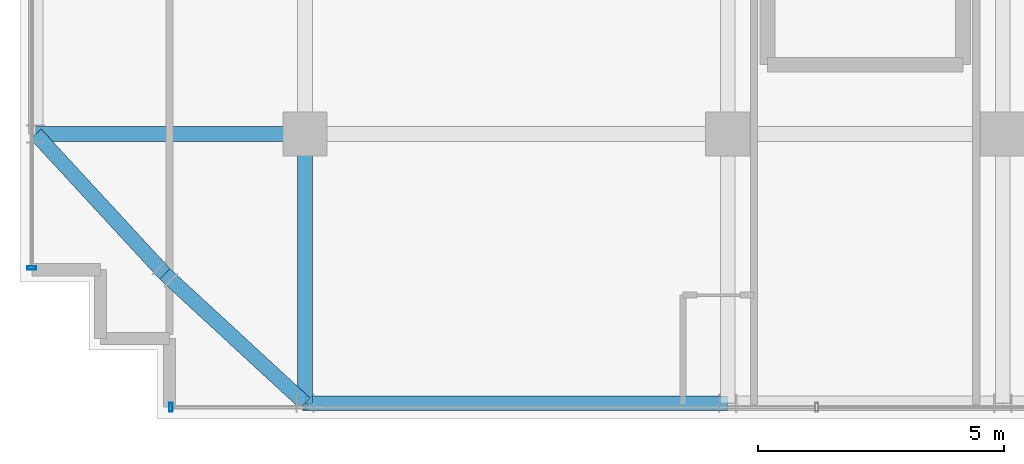
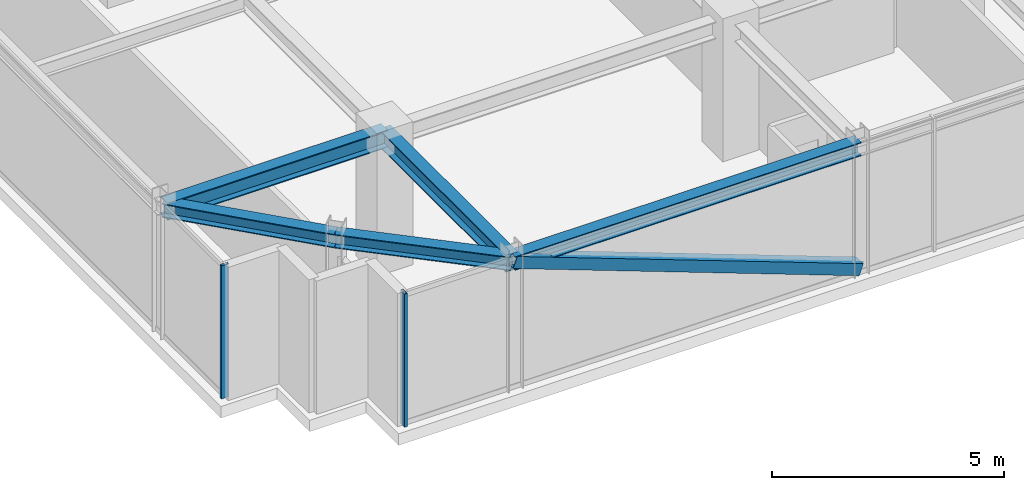
# One storey, part 4 of 31: 5 beams, 3 members, 2 elements without a shape of their own.
"""IFC4 building model written with IfcOpenShell, lengths in metres."""

from ifc_helpers import new_model, si_unit, direction, frame, origin, origin_2d, place, context, subcontext, project, spatial, hollow_rectangle, i_section, extrude, source, transform, mapped, material, material_profile, profile_set, type_object, element, aggregate, save


model = new_model("IFC4")

# Units and contexts
model_context = context("Model", 3, precision=1e-05, world=origin(), true_north=direction((0.0, 1.0)))
body_context = subcontext(model_context, "Body", "Model", "MODEL_VIEW")
ifc_project = project(units=[si_unit("LENGTHUNIT", "METRE"), si_unit("AREAUNIT", "SQUARE_METRE"), si_unit("VOLUMEUNIT", "CUBIC_METRE"), si_unit("PLANEANGLEUNIT", "RADIAN"), si_unit("MASSUNIT", "GRAM", prefix="KILO")], contexts=[model_context])

# Site, building, storey
site_placement = place(None, origin())
site = spatial("IfcSite", under=ifc_project, at=site_placement, CompositionType="ELEMENT")
building_placement = place(site_placement, origin())
building = spatial("IfcBuilding", under=site, at=building_placement, Name="Nahalor Promenade Grand Hotel", CompositionType="ELEMENT")
storey_placement = place(building_placement, frame((0.0, 0.0, 327.14990234375)))
storey = spatial("IfcBuildingStorey", under=building, at=storey_placement, Name="L84", CompositionType="ELEMENT", Elevation=327.14990234375)

# Beams
ifc_material_1 = material(Name="Steel S355JR", Category="steel")
ifc_material_profile_1 = material_profile(ifc_material_1, i_section(OverallWidth=0.3, OverallDepth=0.45, WebThickness=0.014, FlangeThickness=0.026, at=origin_2d()), Name="HEB 450")
ifc_profile_set_1 = profile_set([ifc_material_profile_1], Name="Steel S355JR")
beam_type_1 = type_object("IfcBeamType", Name="Beam-Girder-HEB450", PredefinedType="BEAM", material=ifc_profile_set_1)
shared_shape_1 = source(origin(), body_context, "Body", "SweptSolid", [
    extrude(i_section(OverallWidth=0.3, OverallDepth=0.45, WebThickness=0.014, FlangeThickness=0.026, at=origin_2d()), origin(), (0.0, 0.0, 1.0), 5.47998046875),
])
for number, where, z_axis, x_axis, name in (
    (1, (-22.47998046875, -17.0, 3.275146484375), (1.0, 0.0, 0.0), (0.0, 1.0, 0.0), "BM-L84-GX-0-0"),
    (2, (-17.0, -22.47998046875, 3.275146484375), (0.0, 1.0, 0.0), (-1.0, 0.0, 0.0), "BM-L84-GY-0-0"),
):
    element("IfcBeam", number, at=place(storey_placement, frame(where, z_axis=z_axis, x_axis=x_axis)), inside=storey, type_object=beam_type_1, Name=name, PredefinedType="BEAM", context=body_context, shape_type="MappedRepresentation", body=[
        mapped(shared_shape_1, transform((0.0, 0.0, 0.0), scale=1.0)),
    ])
ifc_material_profile_2 = material_profile(ifc_material_1, i_section(OverallWidth=0.3, OverallDepth=0.36, WebThickness=0.0125, FlangeThickness=0.0225, at=origin_2d()), Name="HEB 360")
ifc_profile_set_2 = profile_set([ifc_material_profile_2], Name="Steel S355JR")
beam_type_2 = type_object("IfcBeamType", Name="Beam-Spandrel-HEB360", PredefinedType="SPANDREL", material=ifc_profile_set_2)
shared_shape_2 = source(origin(), body_context, "Body", "SweptSolid", [
    extrude(i_section(OverallWidth=0.3, OverallDepth=0.36, WebThickness=0.0125, FlangeThickness=0.0225, at=origin_2d()), origin(), (0.0, 0.0, 1.0), 8.60009765625),
])
beam_placement = place(storey_placement, frame((-17.0, -22.47998046875, 3.320068359375), z_axis=(1.0, 0.0, 0.0), x_axis=(0.0, 1.0, 0.0)))
element("IfcBeam", 3, at=beam_placement, inside=storey, type_object=beam_type_2, Name="BM-L84-SP-S-0", PredefinedType="SPANDREL", context=body_context, shape_type="MappedRepresentation", body=[
    mapped(shared_shape_2, transform((0.0, 0.0, 0.0), scale=1.0)),
])
shared_shape_3 = source(origin(), body_context, "Body", "SweptSolid", [
    extrude(i_section(OverallWidth=0.3, OverallDepth=0.36, WebThickness=0.0125, FlangeThickness=0.0225, at=origin_2d()), origin(), (0.0, 0.0, 1.0), 3.878173828125),
])
for number, where, z_axis, x_axis, name in (
    (4, (-17.0, -22.47998046875, 3.320068359375), (-0.73492893846, 0.678144125843, 0.0), (-0.678144125843, -0.73492893846, 0.0), "BM-L84-SPC-SW-1"),
    (5, (-19.85009765625, -19.85009765625, 3.320068359375), (-0.678144125843, 0.73492893846, 0.0), (-0.73492893846, -0.678144125843, 0.0), "BM-L84-SPC-SW-2"),
):
    element("IfcBeam", number, at=place(storey_placement, frame(where, z_axis=z_axis, x_axis=x_axis)), inside=storey, type_object=beam_type_2, Name=name, PredefinedType="SPANDREL", context=body_context, shape_type="MappedRepresentation", body=[
        mapped(shared_shape_3, transform((0.0, 0.0, 0.0), scale=1.0)),
    ])

# Member
ifc_material_profile_3 = material_profile(ifc_material_1, hollow_rectangle(XDim=0.3, YDim=0.3, WallThickness=0.016, at=origin_2d()), Name="SHS 300x300x16")
ifc_profile_set_3 = profile_set([ifc_material_profile_3], Name="Steel S355JR")
member_type_1 = type_object("IfcMemberType", Name="Mem-CrownBrace-SHS300", PredefinedType="BRACE", material=ifc_profile_set_3)
shared_shape_4 = source(origin(), body_context, "Body", "SweptSolid", [
    extrude(hollow_rectangle(XDim=0.3, YDim=0.3, WallThickness=0.016, at=origin_2d()), origin(), (0.0, 0.0, 1.0), 9.176025390625),
])
member_1_placement = place(storey_placement, frame((-8.39990234375, -22.47998046875, 0.150146484375), z_axis=(-0.937224884492, 0.0, 0.348725559559), x_axis=(0.0, -1.0, 0.0)))
element("IfcMember", 6, at=member_1_placement, inside=storey, type_object=member_type_1, Name="EXO-L84-S-0", PredefinedType="BRACE", context=body_context, shape_type="MappedRepresentation", body=[
    mapped(shared_shape_4, transform((0.0, 0.0, 0.0), scale=1.0)),
])

# Curtain wall, member
ifc_material_2 = material(Name="Anodised Bronze Aluminium EN AW-6063 T6", Category="aluminium")
curtain_wall_type = type_object("IfcCurtainWallType", Name="CW2 Typical Hotel Flush Bronze Unitised Curtain Wall", PredefinedType="USERDEFINED", material=ifc_material_2)
curtain_wall_1_placement = place(storey_placement, origin())
curtain_wall_1 = element("IfcCurtainWall", 7, at=curtain_wall_1_placement, inside=storey, type_object=curtain_wall_type, Name="L84 Curtain Wall CW-L84-S-1", ObjectType="UNITISED_CURTAIN_WALL", PredefinedType="USERDEFINED")
ifc_material_profile_4 = material_profile(ifc_material_2, hollow_rectangle(XDim=0.065, YDim=0.18, WallThickness=0.004, at=origin_2d()), Name="CWM 65x180x4")
ifc_profile_set_4 = profile_set([ifc_material_profile_4], Name="Anodised Bronze Aluminium EN AW-6063 T6")
member_type_2 = type_object("IfcMemberType", Name="CWM2 Typical Bronze Mullion 65x180", PredefinedType="MULLION", material=ifc_profile_set_4)
shared_shape_5 = source(origin(), body_context, "Body", "SweptSolid", [
    extrude(hollow_rectangle(XDim=0.065, YDim=0.18, WallThickness=0.004, at=origin_2d()), origin(), (0.0, 0.0, 1.0), 3.5),
])
member_2_placement = place(storey_placement, frame((-19.7275390625, -22.56005859375, 0.0), z_axis=(0.0, 0.0, 1.0), x_axis=(1.0, 0.0, 0.0)))
member_2 = element("IfcMember", 8, at=member_2_placement, type_object=member_type_2, Name="CW-L84-S-1 Mullion 0", PredefinedType="MULLION", context=body_context, shape_type="MappedRepresentation", body=[
    mapped(shared_shape_5, transform((0.0, 0.0, 0.0), scale=1.0)),
])
aggregate(curtain_wall_1, [member_2])

curtain_wall_2_placement = place(storey_placement, origin())
curtain_wall_2 = element("IfcCurtainWall", 9, at=curtain_wall_2_placement, inside=storey, type_object=curtain_wall_type, Name="L84 Curtain Wall CW-L84-W-1", ObjectType="UNITISED_CURTAIN_WALL", PredefinedType="USERDEFINED")
member_3_placement = place(storey_placement, frame((-22.56005859375, -19.7275390625, 0.0), z_axis=(0.0, 0.0, 1.0), x_axis=(0.0, 1.0, 0.0)))
member_3 = element("IfcMember", 10, at=member_3_placement, type_object=member_type_2, Name="CW-L84-W-1 Mullion 0", PredefinedType="MULLION", context=body_context, shape_type="MappedRepresentation", body=[
    mapped(shared_shape_5, transform((0.0, 0.0, 0.0), scale=1.0)),
])
aggregate(curtain_wall_2, [member_3])

save(model, "model.ifc")
